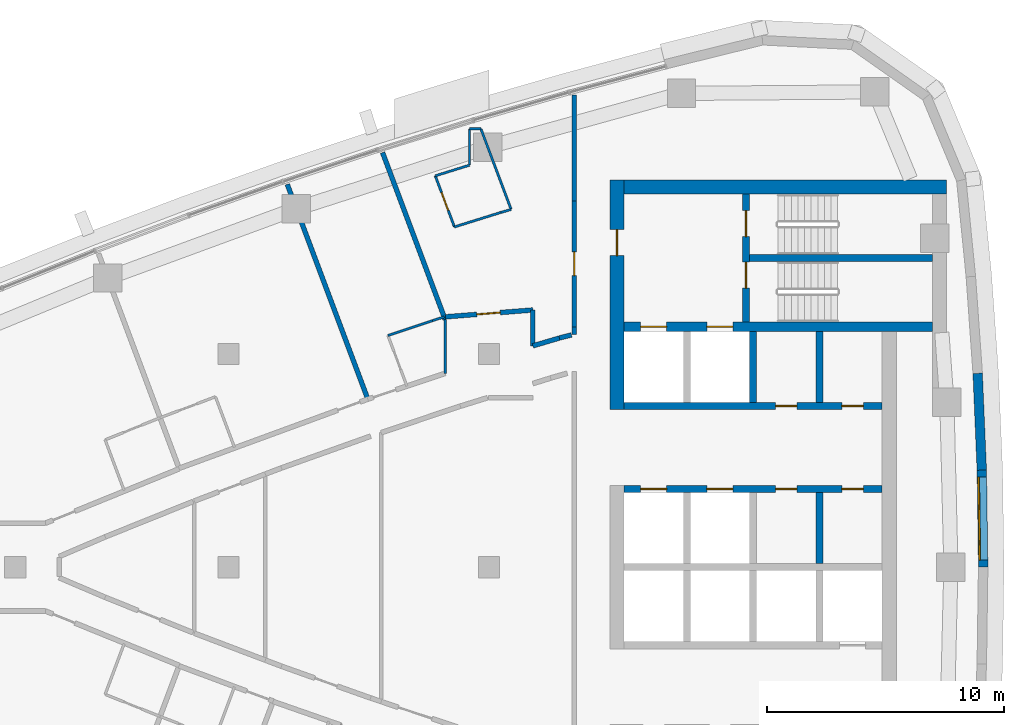
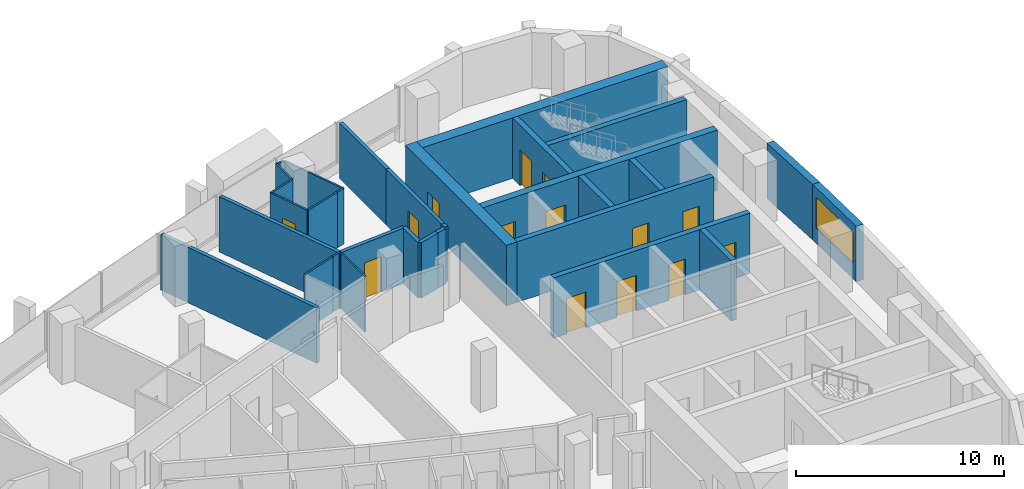
# One storey, part 11 of 16: 31 walls, 14 doors, 1 window, 15 openings.
"""IFC4 building model written with IfcOpenShell, lengths in metres."""

from ifc_helpers import new_model, si_unit, direction, frame, frame_2d, origin, place, context, subcontext, project, spatial, polyline, rectangle, outline, extrude, material, layer, layer_set, type_object, element, fill, save


model = new_model("IFC4")

# Units and contexts
model_context = context("Model", 3, precision=1e-05, world=origin(), true_north=direction((0.0, 1.0)))
body_context = subcontext(model_context, "Body", "Model", "MODEL_VIEW")
ifc_project = project(units=[si_unit("LENGTHUNIT", "METRE"), si_unit("AREAUNIT", "SQUARE_METRE"), si_unit("VOLUMEUNIT", "CUBIC_METRE"), si_unit("PLANEANGLEUNIT", "RADIAN"), si_unit("MASSUNIT", "GRAM", prefix="KILO")], contexts=[model_context])

# Site, building, storey
site_placement = place(None, origin())
site = spatial("IfcSite", under=ifc_project, at=site_placement, CompositionType="ELEMENT")
building_placement = place(site_placement, origin())
building = spatial("IfcBuilding", under=site, at=building_placement, Name="Ostrand Prow Hotel Tower", CompositionType="ELEMENT")
storey_placement = place(building_placement, frame((0.0, 0.0, 224.35009765625)))
storey = spatial("IfcBuildingStorey", under=building, at=storey_placement, Name="L56", CompositionType="ELEMENT", Elevation=224.35009765625)

# Wall, openings, doors
ifc_material_1 = material(Name="Concrete C50/60", Category="concrete")
ifc_layer_1 = layer(ifc_material_1, 0.300048828125)
ifc_layer_set_1 = layer_set([ifc_layer_1], Name="Concrete C50/60")
wall_type_1 = type_object("IfcWallType", Name="Core wall 300 C50/60", PredefinedType="SHEAR", material=ifc_layer_set_1)
wall_1_placement = place(storey_placement, frame((50.699951171875, 3.300048828125, 0.0), z_axis=(0.0, 0.0, 1.0), x_axis=(1.0, 0.0, 0.0)))
wall_1 = element("IfcWall", 1, at=wall_1_placement, inside=storey, type_object=wall_type_1, Name="Core wall PW-L1-N", PredefinedType="SHEAR", context=body_context, shape_type="SweptSolid", body=[
    extrude(rectangle(XDim=10.900146484375, YDim=0.300048828125, at=frame_2d((5.4501953125, 0.0))), origin(), (0.0, 0.0, 1.0), 3.5498046875),
])
opening_1_placement = place(wall_1_placement, frame((0.699951171875, 0.0, 0.0)))
opening_1 = element("IfcOpeningElement", 2, at=opening_1_placement, cuts=wall_1, Name="Opening LD", PredefinedType="OPENING", context=body_context, shape_type="SweptSolid", body=[
    extrude(rectangle(XDim=1.10009765625, YDim=2.10009765625, at=frame_2d((0.550048828125, 1.050048828125))), frame((0.0, 0.159912109375, 0.0), z_axis=(0.0, -1.0, 0.0), x_axis=(1.0, 0.0, 0.0)), (0.0, 0.0, 1.0), 0.320068359375),
])
opening_2_placement = place(wall_1_placement, frame((3.5, 0.0, 0.0)))
opening_2 = element("IfcOpeningElement", 3, at=opening_2_placement, cuts=wall_1, Name="Opening LD", PredefinedType="OPENING", context=body_context, shape_type="SweptSolid", body=[
    extrude(rectangle(XDim=1.10009765625, YDim=2.10009765625, at=frame_2d((0.550048828125, 1.050048828125))), frame((0.0, 0.159912109375, 0.0), z_axis=(0.0, -1.0, 0.0), x_axis=(1.0, 0.0, 0.0)), (0.0, 0.0, 1.0), 0.320068359375),
])
opening_3_placement = place(wall_1_placement, frame((6.39990234375, 0.0, 0.0)))
opening_3 = element("IfcOpeningElement", 4, at=opening_3_placement, cuts=wall_1, Name="Opening FD2", PredefinedType="OPENING", context=body_context, shape_type="SweptSolid", body=[
    extrude(rectangle(XDim=0.89990234375, YDim=2.10009765625, at=frame_2d((0.449951171875, 1.050048828125))), frame((0.0, 0.159912109375, 0.0), z_axis=(0.0, -1.0, 0.0), x_axis=(1.0, 0.0, 0.0)), (0.0, 0.0, 1.0), 0.320068359375),
])
opening_4_placement = place(wall_1_placement, frame((9.199951171875, 0.0, 0.0)))
opening_4 = element("IfcOpeningElement", 5, at=opening_4_placement, cuts=wall_1, Name="Opening FD2", PredefinedType="OPENING", context=body_context, shape_type="SweptSolid", body=[
    extrude(rectangle(XDim=0.89990234375, YDim=2.10009765625, at=frame_2d((0.449951171875, 1.050048828125))), frame((0.0, 0.159912109375, 0.0), z_axis=(0.0, -1.0, 0.0), x_axis=(1.0, 0.0, 0.0)), (0.0, 0.0, 1.0), 0.320068359375),
])
ifc_material_2 = material(Name="Steel fire door", Category="steel")
door_type_1 = type_object("IfcDoorType", Name="Fire door 900 EI120", OperationType="SINGLE_SWING_LEFT", PredefinedType="DOOR", material=ifc_material_2)
door_1_placement = place(opening_3_placement, origin())
door_1 = element("IfcDoor", 6, at=door_1_placement, inside=storey, type_object=door_type_1, Name="DOOR", OperationType="SINGLE_SWING_LEFT", OverallHeight=2.10009765625, OverallWidth=0.89990234375, PredefinedType="DOOR", context=body_context, shape_type="SweptSolid", body=[
    extrude(rectangle(XDim=0.89990234375, YDim=2.10009765625, at=frame_2d((0.449951171875, 1.050048828125))), frame((0.0, 0.02490234375, 0.0), z_axis=(0.0, -1.0, 0.0), x_axis=(1.0, 0.0, 0.0)), (0.0, 0.0, 1.0), 0.050048828125),
])
fill(opening_3, door_1)
door_2_placement = place(opening_4_placement, origin())
door_2 = element("IfcDoor", 7, at=door_2_placement, inside=storey, type_object=door_type_1, Name="DOOR", OperationType="SINGLE_SWING_LEFT", OverallHeight=2.10009765625, OverallWidth=0.89990234375, PredefinedType="DOOR", context=body_context, shape_type="SweptSolid", body=[
    extrude(rectangle(XDim=0.89990234375, YDim=2.10009765625, at=frame_2d((0.449951171875, 1.050048828125))), frame((0.0, 0.02490234375, 0.0), z_axis=(0.0, -1.0, 0.0), x_axis=(1.0, 0.0, 0.0)), (0.0, 0.0, 1.0), 0.050048828125),
])
fill(opening_4, door_2)
ifc_material_3 = material(Name="Stainless steel door", Category="steel")
door_type_2 = type_object("IfcDoorType", Name="Lift landing door 1100", OperationType="DOUBLE_DOOR_SLIDING", PredefinedType="DOOR", material=ifc_material_3)
door_3_placement = place(opening_1_placement, origin())
door_3 = element("IfcDoor", 8, at=door_3_placement, inside=storey, type_object=door_type_2, Name="LIFT LANDING DOOR", OperationType="DOUBLE_DOOR_SLIDING", OverallHeight=2.10009765625, OverallWidth=1.10009765625, PredefinedType="DOOR", context=body_context, shape_type="SweptSolid", body=[
    extrude(rectangle(XDim=1.10009765625, YDim=2.10009765625, at=frame_2d((0.550048828125, 1.050048828125))), frame((0.0, 0.02490234375, 0.0), z_axis=(0.0, -1.0, 0.0), x_axis=(1.0, 0.0, 0.0)), (0.0, 0.0, 1.0), 0.050048828125),
])
fill(opening_1, door_3)
door_4_placement = place(opening_2_placement, origin())
door_4 = element("IfcDoor", 9, at=door_4_placement, inside=storey, type_object=door_type_2, Name="LIFT LANDING DOOR", OperationType="DOUBLE_DOOR_SLIDING", OverallHeight=2.10009765625, OverallWidth=1.10009765625, PredefinedType="DOOR", context=body_context, shape_type="SweptSolid", body=[
    extrude(rectangle(XDim=1.10009765625, YDim=2.10009765625, at=frame_2d((0.550048828125, 1.050048828125))), frame((0.0, 0.02490234375, 0.0), z_axis=(0.0, -1.0, 0.0), x_axis=(1.0, 0.0, 0.0)), (0.0, 0.0, 1.0), 0.050048828125),
])
fill(opening_2, door_4)

wall_2_placement = place(storey_placement, frame((50.699951171875, 6.800048828125, 0.0), z_axis=(0.0, 0.0, 1.0), x_axis=(1.0, 0.0, 0.0)))
wall_2 = element("IfcWall", 10, at=wall_2_placement, inside=storey, type_object=wall_type_1, Name="Core wall PW-L2-N", PredefinedType="SHEAR", context=body_context, shape_type="SweptSolid", body=[
    extrude(rectangle(XDim=10.900146484375, YDim=0.300048828125, at=frame_2d((5.4501953125, 0.0))), origin(), (0.0, 0.0, 1.0), 3.5498046875),
])
opening_5_placement = place(wall_2_placement, frame((6.39990234375, 0.0, 0.0)))
opening_5 = element("IfcOpeningElement", 11, at=opening_5_placement, cuts=wall_2, Name="Opening FD2", PredefinedType="OPENING", context=body_context, shape_type="SweptSolid", body=[
    extrude(rectangle(XDim=0.89990234375, YDim=2.10009765625, at=frame_2d((0.449951171875, 1.050048828125))), frame((0.0, 0.159912109375, 0.0), z_axis=(0.0, -1.0, 0.0), x_axis=(1.0, 0.0, 0.0)), (0.0, 0.0, 1.0), 0.320068359375),
])
opening_6_placement = place(wall_2_placement, frame((9.199951171875, 0.0, 0.0)))
opening_6 = element("IfcOpeningElement", 12, at=opening_6_placement, cuts=wall_2, Name="Opening FD2", PredefinedType="OPENING", context=body_context, shape_type="SweptSolid", body=[
    extrude(rectangle(XDim=0.89990234375, YDim=2.10009765625, at=frame_2d((0.449951171875, 1.050048828125))), frame((0.0, 0.159912109375, 0.0), z_axis=(0.0, -1.0, 0.0), x_axis=(1.0, 0.0, 0.0)), (0.0, 0.0, 1.0), 0.320068359375),
])
door_5_placement = place(opening_5_placement, origin())
door_5 = element("IfcDoor", 13, at=door_5_placement, inside=storey, type_object=door_type_1, Name="DOOR", OperationType="SINGLE_SWING_LEFT", OverallHeight=2.10009765625, OverallWidth=0.89990234375, PredefinedType="DOOR", context=body_context, shape_type="SweptSolid", body=[
    extrude(rectangle(XDim=0.89990234375, YDim=2.10009765625, at=frame_2d((0.449951171875, 1.050048828125))), frame((0.0, 0.02490234375, 0.0), z_axis=(0.0, -1.0, 0.0), x_axis=(1.0, 0.0, 0.0)), (0.0, 0.0, 1.0), 0.050048828125),
])
fill(opening_5, door_5)
door_6_placement = place(opening_6_placement, origin())
door_6 = element("IfcDoor", 14, at=door_6_placement, inside=storey, type_object=door_type_1, Name="DOOR", OperationType="SINGLE_SWING_LEFT", OverallHeight=2.10009765625, OverallWidth=0.89990234375, PredefinedType="DOOR", context=body_context, shape_type="SweptSolid", body=[
    extrude(rectangle(XDim=0.89990234375, YDim=2.10009765625, at=frame_2d((0.449951171875, 1.050048828125))), frame((0.0, 0.02490234375, 0.0), z_axis=(0.0, -1.0, 0.0), x_axis=(1.0, 0.0, 0.0)), (0.0, 0.0, 1.0), 0.050048828125),
])
fill(opening_6, door_6)

# Walls
for number, where, z_axis, x_axis, name in (
    (15, (56.14990234375, 6.949951171875, 0.0), (0.0, 0.0, 1.0), (0.0, 1.0, 0.0), "Core wall PW-R2-NA"),
    (16, (58.949951171875, 0.14990234375, 0.0), (0.0, 0.0, 1.0), (0.0, 1.0, 0.0), "Core wall PW-R3-NB"),
    (17, (58.949951171875, 6.949951171875, 0.0), (0.0, 0.0, 1.0), (0.0, 1.0, 0.0), "Core wall PW-R3-NA"),
):
    element("IfcWall", number, at=place(storey_placement, frame(where, z_axis=z_axis, x_axis=x_axis)), inside=storey, type_object=wall_type_1, Name=name, PredefinedType="SHEAR", context=body_context, shape_type="SweptSolid", body=[
        extrude(rectangle(XDim=3.0, YDim=0.300048828125, at=frame_2d((1.5, 0.0))), origin(), (0.0, 0.0, 1.0), 3.5498046875),
    ])

# Wall, openings, doors
wall_3_placement = place(storey_placement, frame((55.85009765625, 10.35009765625, 0.0), z_axis=(0.0, 0.0, 1.0), x_axis=(0.0, 1.0, 0.0)))
wall_3 = element("IfcWall", 18, at=wall_3_placement, inside=storey, type_object=wall_type_1, Name="Core wall PW-VN", PredefinedType="SHEAR", context=body_context, shape_type="SweptSolid", body=[
    extrude(rectangle(XDim=5.39990234375, YDim=0.300048828125, at=frame_2d((2.699951171875, 0.0))), origin(), (0.0, 0.0, 1.0), 3.5498046875),
])
opening_7_placement = place(wall_3_placement, frame((1.429931640625, 0.0, 0.0)))
opening_7 = element("IfcOpeningElement", 19, at=opening_7_placement, cuts=wall_3, Name="Opening FD1", PredefinedType="OPENING", context=body_context, shape_type="SweptSolid", body=[
    extrude(rectangle(XDim=1.10009765625, YDim=2.10009765625, at=frame_2d((0.550048828125, 1.050048828125))), frame((0.0, 0.159912109375, 0.0), z_axis=(0.0, -1.0, 0.0), x_axis=(1.0, 0.0, 0.0)), (0.0, 0.0, 1.0), 0.320068359375),
])
opening_8_placement = place(wall_3_placement, frame((3.60009765625, 0.0, 0.0)))
opening_8 = element("IfcOpeningElement", 20, at=opening_8_placement, cuts=wall_3, Name="Opening FD1", PredefinedType="OPENING", context=body_context, shape_type="SweptSolid", body=[
    extrude(rectangle(XDim=1.10009765625, YDim=2.10009765625, at=frame_2d((0.550048828125, 1.050048828125))), frame((0.0, 0.159912109375, 0.0), z_axis=(0.0, -1.0, 0.0), x_axis=(1.0, 0.0, 0.0)), (0.0, 0.0, 1.0), 0.320068359375),
])
ifc_material_4 = material(Name="Steel fire door", Category="steel")
door_type_3 = type_object("IfcDoorType", Name="Fire door 1100 EI120", OperationType="SINGLE_SWING_RIGHT", PredefinedType="DOOR", material=ifc_material_4)
door_7_placement = place(opening_7_placement, origin())
door_7 = element("IfcDoor", 21, at=door_7_placement, inside=storey, type_object=door_type_3, Name="FIRE DOOR", OperationType="SINGLE_SWING_RIGHT", OverallHeight=2.10009765625, OverallWidth=1.10009765625, PredefinedType="DOOR", context=body_context, shape_type="SweptSolid", body=[
    extrude(rectangle(XDim=1.10009765625, YDim=2.10009765625, at=frame_2d((0.550048828125, 1.050048828125))), frame((0.0, 0.02490234375, 0.0), z_axis=(0.0, -1.0, 0.0), x_axis=(1.0, 0.0, 0.0)), (0.0, 0.0, 1.0), 0.050048828125),
])
fill(opening_7, door_7)
door_8_placement = place(opening_8_placement, origin())
door_8 = element("IfcDoor", 22, at=door_8_placement, inside=storey, type_object=door_type_3, Name="FIRE DOOR", OperationType="SINGLE_SWING_RIGHT", OverallHeight=2.10009765625, OverallWidth=1.10009765625, PredefinedType="DOOR", context=body_context, shape_type="SweptSolid", body=[
    extrude(rectangle(XDim=1.10009765625, YDim=2.10009765625, at=frame_2d((0.550048828125, 1.050048828125))), frame((0.0, 0.02490234375, 0.0), z_axis=(0.0, -1.0, 0.0), x_axis=(1.0, 0.0, 0.0)), (0.0, 0.0, 1.0), 0.050048828125),
])
fill(opening_8, door_8)

# Wall
wall_4_placement = place(storey_placement, frame((56.0, 13.050048828125, 0.0), z_axis=(0.0, 0.0, 1.0), x_axis=(1.0, 0.0, 0.0)))
element("IfcWall", 23, at=wall_4_placement, inside=storey, type_object=wall_type_1, Name="Core wall PW-ST13", PredefinedType="SHEAR", context=body_context, shape_type="SweptSolid", body=[
    extrude(rectangle(XDim=7.719970703125, YDim=0.300048828125, at=frame_2d((3.85986328125, 0.0))), origin(), (0.0, 0.0, 1.0), 3.5498046875),
])

# Wall, openings, doors
ifc_material_5 = material(Name="Concrete C50/60", Category="concrete")
ifc_layer_2 = layer(ifc_material_5, 0.39990234375)
ifc_layer_set_2 = layer_set([ifc_layer_2], Name="Concrete C50/60")
wall_type_2 = type_object("IfcWallType", Name="Core wall 400 C50/60", PredefinedType="SHEAR", material=ifc_layer_set_2)
wall_5_placement = place(storey_placement, frame((50.699951171875, 10.14990234375, 0.0), z_axis=(0.0, 0.0, 1.0), x_axis=(1.0, 0.0, 0.0)))
wall_5 = element("IfcWall", 24, at=wall_5_placement, inside=storey, type_object=wall_type_2, Name="Core wall PW-BN", PredefinedType="SHEAR", context=body_context, shape_type="SweptSolid", body=[
    extrude(rectangle(XDim=13.02001953125, YDim=0.39990234375, at=frame_2d((6.510009765625, 0.0))), origin(), (0.0, 0.0, 1.0), 3.5498046875),
])
opening_9_placement = place(wall_5_placement, frame((0.699951171875, 0.0, 0.0)))
opening_9 = element("IfcOpeningElement", 25, at=opening_9_placement, cuts=wall_5, Name="Opening LD", PredefinedType="OPENING", context=body_context, shape_type="SweptSolid", body=[
    extrude(rectangle(XDim=1.10009765625, YDim=2.10009765625, at=frame_2d((0.550048828125, 1.050048828125))), frame((0.0, 0.2099609375, 0.0), z_axis=(0.0, -1.0, 0.0), x_axis=(1.0, 0.0, 0.0)), (0.0, 0.0, 1.0), 0.419921875),
])
opening_10_placement = place(wall_5_placement, frame((3.5, 0.0, 0.0)))
opening_10 = element("IfcOpeningElement", 26, at=opening_10_placement, cuts=wall_5, Name="Opening LD", PredefinedType="OPENING", context=body_context, shape_type="SweptSolid", body=[
    extrude(rectangle(XDim=1.10009765625, YDim=2.10009765625, at=frame_2d((0.550048828125, 1.050048828125))), frame((0.0, 0.2099609375, 0.0), z_axis=(0.0, -1.0, 0.0), x_axis=(1.0, 0.0, 0.0)), (0.0, 0.0, 1.0), 0.419921875),
])
door_9_placement = place(opening_9_placement, origin())
door_9 = element("IfcDoor", 27, at=door_9_placement, inside=storey, type_object=door_type_2, Name="LIFT LANDING DOOR", OperationType="DOUBLE_DOOR_SLIDING", OverallHeight=2.10009765625, OverallWidth=1.10009765625, PredefinedType="DOOR", context=body_context, shape_type="SweptSolid", body=[
    extrude(rectangle(XDim=1.10009765625, YDim=2.10009765625, at=frame_2d((0.550048828125, 1.050048828125))), frame((0.0, 0.02490234375, 0.0), z_axis=(0.0, -1.0, 0.0), x_axis=(1.0, 0.0, 0.0)), (0.0, 0.0, 1.0), 0.050048828125),
])
fill(opening_9, door_9)
door_10_placement = place(opening_10_placement, origin())
door_10 = element("IfcDoor", 28, at=door_10_placement, inside=storey, type_object=door_type_2, Name="LIFT LANDING DOOR", OperationType="DOUBLE_DOOR_SLIDING", OverallHeight=2.10009765625, OverallWidth=1.10009765625, PredefinedType="DOOR", context=body_context, shape_type="SweptSolid", body=[
    extrude(rectangle(XDim=1.10009765625, YDim=2.10009765625, at=frame_2d((0.550048828125, 1.050048828125))), frame((0.0, 0.02490234375, 0.0), z_axis=(0.0, -1.0, 0.0), x_axis=(1.0, 0.0, 0.0)), (0.0, 0.0, 1.0), 0.050048828125),
])
fill(opening_10, door_10)

# Wall, opening, door
ifc_material_6 = material(Name="Concrete C50/60", Category="concrete")
ifc_layer_3 = layer(ifc_material_6, 0.60009765625)
ifc_layer_set_3 = layer_set([ifc_layer_3], Name="Concrete C50/60")
wall_type_3 = type_object("IfcWallType", Name="Core wall 600 C50/60", PredefinedType="SHEAR", material=ifc_layer_set_3)
wall_6_placement = place(storey_placement, frame((50.39990234375, 6.64990234375, 0.0), z_axis=(0.0, 0.0, 1.0), x_axis=(0.0, 1.0, 0.0)))
wall_6 = element("IfcWall", 29, at=wall_6_placement, inside=storey, type_object=wall_type_3, Name="Core wall CW-W-N", PredefinedType="SHEAR", context=body_context, shape_type="SweptSolid", body=[
    extrude(rectangle(XDim=9.7001953125, YDim=0.60009765625, at=frame_2d((4.85009765625, 0.0))), origin(), (0.0, 0.0, 1.0), 3.5498046875),
])
opening_11_placement = place(wall_6_placement, frame((6.5, 0.0, 0.0)))
opening_11 = element("IfcOpeningElement", 30, at=opening_11_placement, cuts=wall_6, Name="Opening FD1", PredefinedType="OPENING", context=body_context, shape_type="SweptSolid", body=[
    extrude(rectangle(XDim=1.10009765625, YDim=2.10009765625, at=frame_2d((0.550048828125, 1.050048828125))), frame((0.0, 0.31005859375, 0.0), z_axis=(0.0, -1.0, 0.0), x_axis=(1.0, 0.0, 0.0)), (0.0, 0.0, 1.0), 0.6201171875),
])
door_11_placement = place(opening_11_placement, origin())
door_11 = element("IfcDoor", 31, at=door_11_placement, inside=storey, type_object=door_type_3, Name="FIRE DOOR", OperationType="SINGLE_SWING_RIGHT", OverallHeight=2.10009765625, OverallWidth=1.10009765625, PredefinedType="DOOR", context=body_context, shape_type="SweptSolid", body=[
    extrude(rectangle(XDim=1.10009765625, YDim=2.10009765625, at=frame_2d((0.550048828125, 1.050048828125))), frame((0.0, 0.02490234375, 0.0), z_axis=(0.0, -1.0, 0.0), x_axis=(1.0, 0.0, 0.0)), (0.0, 0.0, 1.0), 0.050048828125),
])
fill(opening_11, door_11)

# Walls
wall_7_placement = place(storey_placement, frame((50.699951171875, 16.050048828125, 0.0), z_axis=(0.0, 0.0, 1.0), x_axis=(1.0, 0.0, 0.0)))
element("IfcWall", 32, at=wall_7_placement, inside=storey, type_object=wall_type_3, Name="Core wall CW-N", PredefinedType="SHEAR", context=body_context, shape_type="SweptSolid", body=[
    extrude(rectangle(XDim=13.6201171875, YDim=0.60009765625, at=frame_2d((6.81005859375, 0.0))), origin(), (0.0, 0.0, 1.0), 3.5498046875),
])
ifc_material_7 = material(Name="Plasterboard partition")
ifc_layer_4 = layer(ifc_material_7, 0.10009765625)
ifc_layer_set_4 = layer_set([ifc_layer_4], Name="Plasterboard partition")
wall_type_4 = type_object("IfcWallType", Name="Partition 100 bathroom wall", PredefinedType="PARTITIONING", material=ifc_layer_set_4)
wall_8_placement = place(storey_placement, frame((40.731689453125, 9.778564453125, 0.0), z_axis=(0.0, 0.0, 1.0), x_axis=(0.948499248693, 0.316779379426, 0.0)))
element("IfcWall", 33, at=wall_8_placement, inside=storey, type_object=wall_type_4, Name="BATHROOM WALL", PredefinedType="PARTITIONING", context=body_context, shape_type="SweptSolid", body=[
    extrude(rectangle(XDim=1.991455078125, YDim=0.10009765625, at=frame_2d((0.99560546875, 0.0))), origin(), (0.0, 0.0, 1.0), 3.25),
])
wall_9_placement = place(storey_placement, frame((42.62060546875, 10.409423828125, 0.0), z_axis=(0.0, 0.0, 1.0), x_axis=(0.954624465478, 0.297812239356, 0.0)))
element("IfcWall", 34, at=wall_9_placement, inside=storey, type_object=wall_type_4, Name="BATHROOM WALL", PredefinedType="PARTITIONING", context=body_context, shape_type="SweptSolid", body=[
    extrude(rectangle(XDim=0.5107421875, YDim=0.10009765625, at=frame_2d((0.25537109375, 0.0))), origin(), (0.0, 0.0, 1.0), 3.25),
])
wall_10_placement = place(storey_placement, frame((42.731201171875, 16.519287109375, 0.0), z_axis=(0.0, 0.0, 1.0), x_axis=(0.954631901927, 0.297788401091, 0.0)))
element("IfcWall", 35, at=wall_10_placement, inside=storey, type_object=wall_type_4, Name="BATHROOM WALL", PredefinedType="PARTITIONING", context=body_context, shape_type="SweptSolid", body=[
    extrude(rectangle(XDim=1.51416015625, YDim=0.10009765625, at=frame_2d((0.757080078125, 0.0))), origin(), (0.0, 0.0, 1.0), 3.25),
])
wall_11_placement = place(storey_placement, frame((44.1767578125, 16.97021484375, 0.0), z_axis=(0.0, 0.0, 1.0), x_axis=(0.0, 1.0, 0.0)))
element("IfcWall", 36, at=wall_11_placement, inside=storey, type_object=wall_type_4, Name="BATHROOM WALL", PredefinedType="PARTITIONING", context=body_context, shape_type="SweptSolid", body=[
    extrude(rectangle(XDim=1.531005859375, YDim=0.10009765625, at=frame_2d((0.765625, 0.0))), origin(), (0.0, 0.0, 1.0), 3.25),
])
wall_12_placement = place(storey_placement, frame((44.1767578125, 18.501220703125, 0.0), z_axis=(0.0, 0.0, 1.0), x_axis=(1.0, 0.0, 0.0)))
element("IfcWall", 37, at=wall_12_placement, inside=storey, type_object=wall_type_4, Name="BATHROOM WALL", PredefinedType="PARTITIONING", context=body_context, shape_type="SweptSolid", body=[
    extrude(rectangle(XDim=0.4814453125, YDim=0.10009765625, at=frame_2d((0.24072265625, 0.0))), origin(), (0.0, 0.0, 1.0), 3.25),
])
wall_13_placement = place(storey_placement, frame((45.93359375, 15.09912109375, 0.0), z_axis=(0.0, 0.0, 1.0), x_axis=(-0.960560469191, -0.278071186978, 0.0)))
element("IfcWall", 38, at=wall_13_placement, inside=storey, type_object=wall_type_4, Name="BATHROOM WALL", PredefinedType="PARTITIONING", context=body_context, shape_type="SweptSolid", body=[
    extrude(rectangle(XDim=0.4521484375, YDim=0.10009765625, at=frame_2d((0.22607421875, 0.0))), origin(), (0.0, 0.0, 1.0), 3.25),
])
wall_14_placement = place(storey_placement, frame((45.499267578125, 14.973388671875, 0.0), z_axis=(0.0, 0.0, 1.0), x_axis=(-0.954642821531, -0.297753393432, 0.0)))
element("IfcWall", 39, at=wall_14_placement, inside=storey, type_object=wall_type_4, Name="BATHROOM WALL", PredefinedType="PARTITIONING", context=body_context, shape_type="SweptSolid", body=[
    extrude(rectangle(XDim=2.05224609375, YDim=0.10009765625, at=frame_2d((1.026123046875, 0.0))), origin(), (0.0, 0.0, 1.0), 3.25),
])

# Wall, opening, door
wall_15_placement = place(storey_placement, frame((43.5400390625, 14.3623046875, 0.0), z_axis=(0.0, 0.0, 1.0), x_axis=(-0.351111827312, 0.936333532841, 0.0)))
wall_15 = element("IfcWall", 40, at=wall_15_placement, inside=storey, type_object=wall_type_4, Name="BATHROOM WALL", PredefinedType="PARTITIONING", context=body_context, shape_type="SweptSolid", body=[
    extrude(rectangle(XDim=2.3037109375, YDim=0.10009765625, at=frame_2d((1.15185546875, 0.0))), origin(), (0.0, 0.0, 1.0), 3.25),
])
opening_12_placement = place(wall_15_placement, frame((0.75, 0.0, 0.0)))
opening_12 = element("IfcOpeningElement", 41, at=opening_12_placement, cuts=wall_15, Name="Opening D2", PredefinedType="OPENING", context=body_context, shape_type="SweptSolid", body=[
    extrude(rectangle(XDim=0.800048828125, YDim=2.10009765625, at=frame_2d((0.39990234375, 1.050048828125))), frame((0.0, 0.06005859375, 0.0), z_axis=(0.0, -1.0, 0.0), x_axis=(1.0, 0.0, 0.0)), (0.0, 0.0, 1.0), 0.1201171875),
])
ifc_material_8 = material(Name="Timber door leaf", Category="wood")
door_type_4 = type_object("IfcDoorType", Name="Bathroom door 800", OperationType="SINGLE_SWING_LEFT", PredefinedType="DOOR", material=ifc_material_8)
door_12_placement = place(opening_12_placement, origin())
door_12 = element("IfcDoor", 42, at=door_12_placement, inside=storey, type_object=door_type_4, Name="DOOR", OperationType="SINGLE_SWING_LEFT", OverallHeight=2.10009765625, OverallWidth=0.800048828125, PredefinedType="DOOR", context=body_context, shape_type="SweptSolid", body=[
    extrude(rectangle(XDim=0.800048828125, YDim=2.10009765625, at=frame_2d((0.39990234375, 1.050048828125))), frame((0.0, 0.02490234375, 0.0), z_axis=(0.0, -1.0, 0.0), x_axis=(1.0, 0.0, 0.0)), (0.0, 0.0, 1.0), 0.050048828125),
])
fill(opening_12, door_12)

# Walls
wall_16_placement = place(storey_placement, frame((43.14501953125, 10.46337890625, 0.0), z_axis=(0.0, 0.0, 1.0), x_axis=(0.0, -1.0, 0.0)))
element("IfcWall", 43, at=wall_16_placement, inside=storey, type_object=wall_type_4, Name="BATHROOM WALL", PredefinedType="PARTITIONING", context=body_context, shape_type="SweptSolid", body=[
    extrude(rectangle(XDim=2.29833984375, YDim=0.10009765625, at=frame_2d((1.149169921875, 0.0))), origin(), (0.0, 0.0, 1.0), 3.25),
])
wall_17_placement = place(storey_placement, frame((44.658203125, 18.501220703125, 0.0), z_axis=(0.0, 0.0, 1.0), x_axis=(0.351027709609, -0.936365071479, 0.0)))
element("IfcWall", 44, at=wall_17_placement, inside=storey, type_object=wall_type_4, Name="BATHROOM WALL", PredefinedType="PARTITIONING", context=body_context, shape_type="SweptSolid", body=[
    extrude(rectangle(XDim=3.63330078125, YDim=0.10009765625, at=frame_2d((1.816650390625, 0.0))), origin(), (0.0, 0.0, 1.0), 3.25),
])
ifc_material_9 = material(Name="Plasterboard partition")
ifc_layer_5 = layer(ifc_material_9, 0.199951171875)
ifc_layer_set_5 = layer_set([ifc_layer_5], Name="Plasterboard partition")
wall_type_5 = type_object("IfcWallType", Name="Partition 200 corridor wall", PredefinedType="PARTITIONING", material=ifc_layer_set_5)
wall_18_placement = place(storey_placement, frame((47.96923828125, 9.67138671875, 0.0), z_axis=(0.0, 0.0, 1.0), x_axis=(-0.958867721668, -0.283853293696, 0.0)))
element("IfcWall", 45, at=wall_18_placement, inside=storey, type_object=wall_type_5, Name="CORRIDOR WALL", PredefinedType="PARTITIONING", context=body_context, shape_type="SweptSolid", body=[
    extrude(rectangle(XDim=1.167236328125, YDim=0.199951171875, at=frame_2d((0.58349609375, 0.0))), origin(), (0.0, 0.0, 1.0), 3.25),
])

# Wall, opening, door
wall_19_placement = place(storey_placement, frame((48.594970703125, 15.455078125, 0.0), z_axis=(0.0, 0.0, 1.0), x_axis=(0.0, -1.0, 0.0)))
wall_19 = element("IfcWall", 46, at=wall_19_placement, inside=storey, type_object=wall_type_5, Name="CORRIDOR WALL", PredefinedType="PARTITIONING", context=body_context, shape_type="SweptSolid", body=[
    extrude(rectangle(XDim=5.322021484375, YDim=0.199951171875, at=frame_2d((2.6611328125, 0.0))), origin(), (0.0, 0.0, 1.0), 3.25),
])
opening_13_placement = place(wall_19_placement, frame((2.14697265625, 0.0, 0.0)))
opening_13 = element("IfcOpeningElement", 47, at=opening_13_placement, cuts=wall_19, Name="Opening D1R", PredefinedType="OPENING", context=body_context, shape_type="SweptSolid", body=[
    extrude(rectangle(XDim=1.0, YDim=2.10009765625, at=frame_2d((0.5, 1.050048828125))), frame((0.0, 0.10986328125, 0.0), z_axis=(0.0, -1.0, 0.0), x_axis=(1.0, 0.0, 0.0)), (0.0, 0.0, 1.0), 0.219970703125),
])
ifc_material_10 = material(Name="Timber door leaf", Category="wood")
door_type_5 = type_object("IfcDoorType", Name="Guest room door 1000 right", OperationType="SINGLE_SWING_RIGHT", PredefinedType="DOOR", material=ifc_material_10)
door_13_placement = place(opening_13_placement, origin())
door_13 = element("IfcDoor", 48, at=door_13_placement, inside=storey, type_object=door_type_5, Name="DOOR", OperationType="SINGLE_SWING_RIGHT", OverallHeight=2.10009765625, OverallWidth=1.0, PredefinedType="DOOR", context=body_context, shape_type="SweptSolid", body=[
    extrude(rectangle(XDim=1.0, YDim=2.10009765625, at=frame_2d((0.5, 1.050048828125))), frame((0.0, 0.02490234375, 0.0), z_axis=(0.0, -1.0, 0.0), x_axis=(1.0, 0.0, 0.0)), (0.0, 0.0, 1.0), 0.050048828125),
])
fill(opening_13, door_13)

wall_20_placement = place(storey_placement, frame((46.85107421875, 10.85498046875, 0.0), z_axis=(0.0, 0.0, 1.0), x_axis=(-0.996940593543, -0.078162989617, 0.0)))
wall_20 = element("IfcWall", 49, at=wall_20_placement, inside=storey, type_object=wall_type_5, Name="CORRIDOR WALL", PredefinedType="PARTITIONING", context=body_context, shape_type="SweptSolid", body=[
    extrude(rectangle(XDim=3.704345703125, YDim=0.199951171875, at=frame_2d((1.85205078125, 0.0))), origin(), (0.0, 0.0, 1.0), 3.25),
])
opening_14_placement = place(wall_20_placement, frame((1.376953125, 0.0, 0.0)))
opening_14 = element("IfcOpeningElement", 50, at=opening_14_placement, cuts=wall_20, Name="Opening D1", PredefinedType="OPENING", context=body_context, shape_type="SweptSolid", body=[
    extrude(rectangle(XDim=1.0, YDim=2.10009765625, at=frame_2d((0.5, 1.050048828125))), frame((0.0, 0.10986328125, 0.0), z_axis=(0.0, -1.0, 0.0), x_axis=(1.0, 0.0, 0.0)), (0.0, 0.0, 1.0), 0.219970703125),
])
ifc_material_11 = material(Name="Timber door leaf", Category="wood")
door_type_6 = type_object("IfcDoorType", Name="Guest room door 1000", OperationType="SINGLE_SWING_LEFT", PredefinedType="DOOR", material=ifc_material_11)
door_14_placement = place(opening_14_placement, origin())
door_14 = element("IfcDoor", 51, at=door_14_placement, inside=storey, type_object=door_type_6, Name="DOOR", OperationType="SINGLE_SWING_LEFT", OverallHeight=2.10009765625, OverallWidth=1.0, PredefinedType="DOOR", context=body_context, shape_type="SweptSolid", body=[
    extrude(rectangle(XDim=1.0, YDim=2.10009765625, at=frame_2d((0.5, 1.050048828125))), frame((0.0, 0.02490234375, 0.0), z_axis=(0.0, -1.0, 0.0), x_axis=(1.0, 0.0, 0.0)), (0.0, 0.0, 1.0), 0.050048828125),
])
fill(opening_14, door_14)

# Walls
wall_21_placement = place(storey_placement, frame((46.85009765625, 9.340087890625, 0.0), z_axis=(0.0, 0.0, 1.0), x_axis=(0.000644641284, 0.999999792219, 0.0)))
element("IfcWall", 52, at=wall_21_placement, inside=storey, type_object=wall_type_5, Name="CORRIDOR WALL", PredefinedType="PARTITIONING", context=body_context, shape_type="SweptSolid", body=[
    extrude(rectangle(XDim=1.514892578125, YDim=0.199951171875, at=frame_2d((0.75732421875, 0.0))), origin(), (0.0, 0.0, 1.0), 3.25),
])
wall_22_placement = place(storey_placement, frame((48.594970703125, 19.9267578125, 0.0), z_axis=(0.0, 0.0, 1.0), x_axis=(0.0, -1.0, 0.0)))
element("IfcWall", 53, at=wall_22_placement, inside=storey, type_object=wall_type_5, Name="CORRIDOR WALL", PredefinedType="PARTITIONING", context=body_context, shape_type="SweptSolid", body=[
    extrude(rectangle(XDim=4.4716796875, YDim=0.199951171875, at=frame_2d((2.23583984375, 0.0))), origin(), (0.0, 0.0, 1.0), 3.25),
])
wall_23_placement = place(storey_placement, frame((48.594970703125, 10.133056640625, 0.0), z_axis=(0.0, 0.0, 1.0), x_axis=(0.0, -1.0, 0.0)))
element("IfcWall", 54, at=wall_23_placement, inside=storey, type_object=wall_type_5, Name="CORRIDOR WALL", PredefinedType="PARTITIONING", context=body_context, shape_type="SweptSolid", body=[
    extrude(rectangle(XDim=0.31005859375, YDim=0.199951171875, at=frame_2d((0.155029296875, 0.0))), origin(), (0.0, 0.0, 1.0), 3.25),
])
wall_24_placement = place(storey_placement, frame((48.47998046875, 9.80322265625, 0.0), z_axis=(0.0, 0.0, 1.0), x_axis=(-0.968262872428, -0.249934011047, 0.0)))
element("IfcWall", 55, at=wall_24_placement, inside=storey, type_object=wall_type_5, Name="CORRIDOR WALL", PredefinedType="PARTITIONING", context=body_context, shape_type="SweptSolid", body=[
    extrude(rectangle(XDim=0.527587890625, YDim=0.199951171875, at=frame_2d((0.263671875, 0.0))), origin(), (0.0, 0.0, 1.0), 3.25),
])
ifc_material_12 = material(Name="Plasterboard partition")
ifc_layer_6 = layer(ifc_material_12, 0.199951171875)
ifc_layer_set_6 = layer_set([ifc_layer_6], Name="Plasterboard partition")
wall_type_6 = type_object("IfcWallType", Name="Partition 200 key partition", PredefinedType="PARTITIONING", material=ifc_layer_set_6)
wall_25_placement = place(storey_placement, frame((39.889404296875, 7.072265625, 0.0), z_axis=(0.0, 0.0, 1.0), x_axis=(-0.35112895446, 0.936327110224, 0.0)))
element("IfcWall", 56, at=wall_25_placement, inside=storey, type_object=wall_type_6, Name="KEY PARTITION", PredefinedType="PARTITIONING", context=body_context, shape_type="SweptSolid", body=[
    extrude(rectangle(XDim=9.706298828125, YDim=0.199951171875, at=frame_2d((4.85302734375, 0.0))), origin(), (0.0, 0.0, 1.0), 3.25),
])
wall_26_placement = place(storey_placement, frame((43.14990234375, 10.449951171875, 0.0), z_axis=(0.0, 0.0, 1.0), x_axis=(-0.351119888923, 0.936330509811, 0.0)))
element("IfcWall", 57, at=wall_26_placement, inside=storey, type_object=wall_type_6, Name="KEY PARTITION", PredefinedType="PARTITIONING", context=body_context, shape_type="SweptSolid", body=[
    extrude(rectangle(XDim=7.531005859375, YDim=0.199951171875, at=frame_2d((3.765625, 0.0))), origin(), (0.0, 0.0, 1.0), 3.25),
])

# Wall, opening, window
ifc_material_13 = material(Name="Precast concrete C40/50", Category="concrete")
ifc_layer_7 = layer(ifc_material_13, 0.39990234375)
ifc_layer_set_7 = layer_set([ifc_layer_7], Name="Precast concrete C40/50")
wall_type_7 = type_object("IfcWallType", Name="Stone-faced precast wall 400 mm", PredefinedType="NOTDEFINED", material=ifc_layer_set_7)
wall_27_placement = place(storey_placement, frame((65.86181640625, 0.0, 0.0), z_axis=(0.0, 0.0, 1.0), x_axis=(-0.014136867892, 0.99990006949, 0.0)))
wall_27 = element("IfcWall", 58, at=wall_27_placement, inside=storey, type_object=wall_type_7, Name="Stone-faced wall back 9", PredefinedType="NOTDEFINED", context=body_context, shape_type="SweptSolid", body=[
    extrude(outline(polyline([(-0.002685546875, -0.199951171875), (4.095703125, -0.199951171875), (4.09033203125, 0.199951171875), (0.002685546875, 0.199951171875), (-0.002685546875, -0.199951171875)])), origin(), (0.0, 0.0, 1.0), 3.25),
])
opening_15_placement = place(wall_27_placement, frame((0.29638671875, 0.0, 0.89990234375)))
opening_15 = element("IfcOpeningElement", 59, at=opening_15_placement, cuts=wall_27, Name="Opening WS3-35", PredefinedType="OPENING", context=body_context, shape_type="SweptSolid", body=[
    extrude(rectangle(XDim=3.5, YDim=1.800048828125, at=frame_2d((1.75, 0.89990234375))), frame((0.0, 0.2099609375, 0.0), z_axis=(0.0, -1.0, 0.0), x_axis=(1.0, 0.0, 0.0)), (0.0, 0.0, 1.0), 0.419921875),
])
ifc_material_14 = material(Name="Insulated glass in bronze frame", Category="glass")
window_type = type_object("IfcWindowType", Name="Strip window 3500x1800", PartitioningType="SINGLE_PANEL", PredefinedType="WINDOW", material=ifc_material_14)
window_placement = place(opening_15_placement, origin())
window = element("IfcWindow", 60, at=window_placement, inside=storey, type_object=window_type, Name="Window back 9.1", OverallHeight=1.800048828125, OverallWidth=3.5, PartitioningType="SINGLE_PANEL", PredefinedType="WINDOW", context=body_context, shape_type="SweptSolid", body=[
    extrude(rectangle(XDim=3.5, YDim=1.800048828125, at=frame_2d((1.75, 0.89990234375))), frame((0.0, 0.169921875, 0.0), z_axis=(0.0, -1.0, 0.0), x_axis=(1.0, 0.0, 0.0)), (0.0, 0.0, 1.0), 0.06005859375),
])
fill(opening_15, window)

# Wall
wall_28_placement = place(storey_placement, frame((65.803955078125, 4.092529296875, 0.0), z_axis=(0.0, 0.0, 1.0), x_axis=(-0.042352554594, 0.999102728011, 0.0)))
element("IfcWall", 61, at=wall_28_placement, inside=storey, type_object=wall_type_7, Name="Stone-faced wall back 10", PredefinedType="NOTDEFINED", context=body_context, shape_type="SweptSolid", body=[
    extrude(outline(polyline([(-0.002685546875, -0.199951171875), (4.095458984375, -0.199951171875), (4.090087890625, 0.199951171875), (0.002685546875, 0.199951171875), (-0.002685546875, -0.199951171875)])), origin(), (0.0, 0.0, 1.0), 3.25),
])

save(model, "model.ifc")
